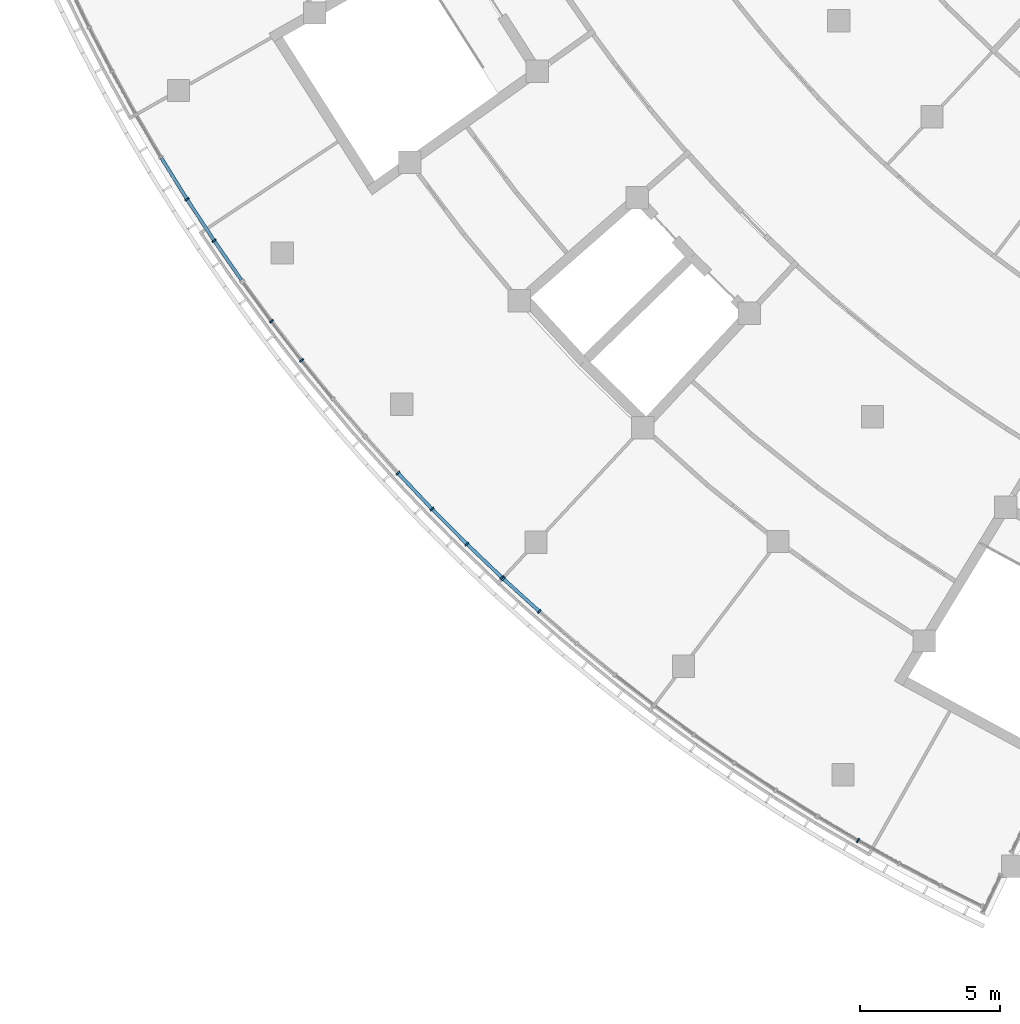
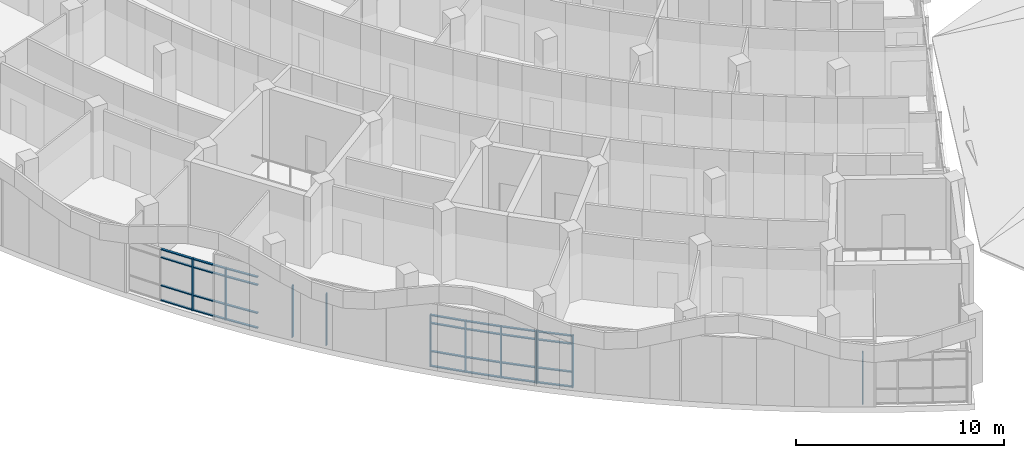
# One storey, part 3 of 137: 39 members, 5 elements without a shape of their own.
"""IFC4 building model written with IfcOpenShell, lengths in metres."""

from ifc_helpers import new_model, si_unit, direction, frame, origin, origin_2d, place, context, subcontext, project, spatial, rectangle, extrude, material, material_profile, profile_set, type_object, element, aggregate, save


model = new_model("IFC4")

# Units and contexts
model_context = context("Model", 3, precision=1e-05, world=origin(), true_north=direction((0.0, 1.0)))
body_context = subcontext(model_context, "Body", "Model", "MODEL_VIEW")
ifc_project = project(units=[si_unit("LENGTHUNIT", "METRE"), si_unit("AREAUNIT", "SQUARE_METRE"), si_unit("VOLUMEUNIT", "CUBIC_METRE"), si_unit("PLANEANGLEUNIT", "RADIAN"), si_unit("MASSUNIT", "GRAM", prefix="KILO")], contexts=[model_context])

# Site, building, storey
site_placement = place(None, origin())
site = spatial("IfcSite", under=ifc_project, at=site_placement, CompositionType="ELEMENT")
building_placement = place(site_placement, origin())
building = spatial("IfcBuilding", under=site, at=building_placement, Name="Bougainvillea Quay General Hospital", CompositionType="ELEMENT")
storey_placement = place(building_placement, frame((0.0, 0.0, 16.800048828125)))
storey = spatial("IfcBuildingStorey", under=building, at=storey_placement, Name="L03", CompositionType="ELEMENT", Elevation=16.800048828125)

# Curtain wall, member
ifc_material_1 = material(Name="Aluminium curtain wall system, powder-coated glazed", Category="aluminium")
curtain_wall_type = type_object("IfcCurtainWallType", Name="Unitised curtain wall CW-2100", PredefinedType="NOTDEFINED", material=ifc_material_1)
curtain_wall_1_placement = place(storey_placement, origin())
curtain_wall_1 = element("IfcCurtainWall", 1, at=curtain_wall_1_placement, inside=storey, type_object=curtain_wall_type, Name="CW-W01 a01b0", PredefinedType="NOTDEFINED")
ifc_material_2 = material(Name="Aluminium mullion, powder-coated charcoal", Category="aluminium")
ifc_material_profile_1 = material_profile(ifc_material_2, rectangle(XDim=0.159912109375, YDim=0.06005859375, at=origin_2d()))
ifc_profile_set_1 = profile_set([ifc_material_profile_1], Name="Aluminium mullion, powder-coated charcoal")
member_type_1 = type_object("IfcMemberType", Name="Curtain wall mullion 160x60", PredefinedType="MULLION", material=ifc_profile_set_1)
member_1_placement = place(storey_placement, frame((74.400390625, 65.55126953125, 0.0), z_axis=(0.0, 0.0, 1.0), x_axis=(-0.498920583541, -0.866647708887, 0.0)))
member_1 = element("IfcMember", 2, at=member_1_placement, type_object=member_type_1, Name="CW-W01 mullion 4", PredefinedType="MULLION", context=body_context, shape_type="SweptSolid", body=[
    extrude(rectangle(XDim=0.159912109375, YDim=0.06005859375, at=origin_2d()), origin(), (0.0, 0.0, 1.0), 3.050048828125),
])
aggregate(curtain_wall_1, [member_1])

# Curtain wall, members
curtain_wall_2_placement = place(storey_placement, origin())
curtain_wall_2 = element("IfcCurtainWall", 3, at=curtain_wall_2_placement, inside=storey, type_object=curtain_wall_type, Name="CW-W03 a01b2", PredefinedType="NOTDEFINED")
member_2_placement = place(storey_placement, frame((62.997802734375, 73.74658203125, 0.0), z_axis=(0.0, 0.0, 1.0), x_axis=(-0.662397799417, -0.749152291145, 0.0)))
member_2 = element("IfcMember", 4, at=member_2_placement, type_object=member_type_1, Name="CW-W03 mullion 4", PredefinedType="MULLION", context=body_context, shape_type="SweptSolid", body=[
    extrude(rectangle(XDim=0.159912109375, YDim=0.06005859375, at=origin_2d()), origin(), (0.0, 0.0, 1.0), 3.050048828125),
])
member_3_placement = place(storey_placement, frame((61.7099609375, 74.914794921875, 0.0), z_axis=(0.0, 0.0, 1.0), x_axis=(-0.671843410143, -0.740693210613, 0.0)))
member_3 = element("IfcMember", 5, at=member_3_placement, type_object=member_type_1, Name="CW-W03 mullion 5", PredefinedType="MULLION", context=body_context, shape_type="SweptSolid", body=[
    extrude(rectangle(XDim=0.159912109375, YDim=0.06005859375, at=origin_2d()), origin(), (0.0, 0.0, 1.0), 3.050048828125),
])

curtain_wall_3_placement = place(storey_placement, origin())
curtain_wall_3 = element("IfcCurtainWall", 6, at=curtain_wall_3_placement, inside=storey, type_object=curtain_wall_type, Name="CW-W04 a01b3", PredefinedType="NOTDEFINED")
member_4_placement = place(storey_placement, frame((61.666015625, 74.955810546875, 0.0), z_axis=(0.0, 0.0, 1.0), x_axis=(-0.690409082244, -0.72341917251, 0.0)))
member_4 = element("IfcMember", 7, at=member_4_placement, type_object=member_type_1, Name="CW-W04 mullion 1", PredefinedType="MULLION", context=body_context, shape_type="SweptSolid", body=[
    extrude(rectangle(XDim=0.159912109375, YDim=0.06005859375, at=origin_2d()), origin(), (0.0, 0.0, 1.0), 3.050048828125),
])
member_5_placement = place(storey_placement, frame((60.407958984375, 76.15625, 0.0), z_axis=(0.0, 0.0, 1.0), x_axis=(-0.699526158712, -0.714606992183, 0.0)))
member_5 = element("IfcMember", 8, at=member_5_placement, type_object=member_type_1, Name="CW-W04 mullion 2", PredefinedType="MULLION", context=body_context, shape_type="SweptSolid", body=[
    extrude(rectangle(XDim=0.159912109375, YDim=0.06005859375, at=origin_2d()), origin(), (0.0, 0.0, 1.0), 3.050048828125),
])
member_6_placement = place(storey_placement, frame((59.159912109375, 77.409423828125, 0.0), z_axis=(0.0, 0.0, 1.0), x_axis=(-0.717421463702, -0.69663939267, 0.0)))
member_6 = element("IfcMember", 9, at=member_6_placement, type_object=member_type_1, Name="CW-W04 mullion 3", PredefinedType="MULLION", context=body_context, shape_type="SweptSolid", body=[
    extrude(rectangle(XDim=0.159912109375, YDim=0.06005859375, at=origin_2d()), origin(), (0.0, 0.0, 1.0), 3.050048828125),
])
member_7_placement = place(storey_placement, frame((57.94384765625, 78.69384765625, 0.0), z_axis=(0.0, 0.0, 1.0), x_axis=(-0.734855411756, -0.678223800683, 0.0)))
member_7 = element("IfcMember", 10, at=member_7_placement, type_object=member_type_1, Name="CW-W04 mullion 4", PredefinedType="MULLION", context=body_context, shape_type="SweptSolid", body=[
    extrude(rectangle(XDim=0.159912109375, YDim=0.06005859375, at=origin_2d()), origin(), (0.0, 0.0, 1.0), 3.050048828125),
])

curtain_wall_4_placement = place(storey_placement, origin())
curtain_wall_4 = element("IfcCurtainWall", 11, at=curtain_wall_4_placement, inside=storey, type_object=curtain_wall_type, Name="CW-W05 a01b4", PredefinedType="NOTDEFINED")
member_8_placement = place(storey_placement, frame((54.49658203125, 82.7265625, 0.0), z_axis=(0.0, 0.0, 1.0), x_axis=(-0.784278527167, -0.620408890833, 0.0)))
member_8 = element("IfcMember", 12, at=member_8_placement, type_object=member_type_1, Name="CW-W05 mullion 3", PredefinedType="MULLION", context=body_context, shape_type="SweptSolid", body=[
    extrude(rectangle(XDim=0.159912109375, YDim=0.06005859375, at=origin_2d()), origin(), (0.0, 0.0, 1.0), 3.050048828125),
])
member_9_placement = place(storey_placement, frame((53.4169921875, 84.12744140625, 0.0), z_axis=(0.0, 0.0, 1.0), x_axis=(-0.799758007688, -0.600322520933, 0.0)))
member_9 = element("IfcMember", 13, at=member_9_placement, type_object=member_type_1, Name="CW-W05 mullion 4", PredefinedType="MULLION", context=body_context, shape_type="SweptSolid", body=[
    extrude(rectangle(XDim=0.159912109375, YDim=0.06005859375, at=origin_2d()), origin(), (0.0, 0.0, 1.0), 3.050048828125),
])
aggregate(curtain_wall_4, [member_8, member_9])

curtain_wall_5_placement = place(storey_placement, origin())
curtain_wall_5 = element("IfcCurtainWall", 14, at=curtain_wall_5_placement, inside=storey, type_object=curtain_wall_type, Name="CW-W06 a01b5", PredefinedType="NOTDEFINED")
member_10_placement = place(storey_placement, frame((51.36572265625, 87.009521484375, 0.0), z_axis=(0.0, 0.0, 1.0), x_axis=(-0.82916442806, -0.55900478642, 0.0)))
member_10 = element("IfcMember", 15, at=member_10_placement, type_object=member_type_1, Name="CW-W06 mullion 2", PredefinedType="MULLION", context=body_context, shape_type="SweptSolid", body=[
    extrude(rectangle(XDim=0.159912109375, YDim=0.06005859375, at=origin_2d()), origin(), (0.0, 0.0, 1.0), 3.050048828125),
])
member_11_placement = place(storey_placement, frame((50.395751953125, 88.488525390625, 0.0), z_axis=(0.0, 0.0, 1.0), x_axis=(-0.843072457331, -0.537799992275, 0.0)))
member_11 = element("IfcMember", 16, at=member_11_placement, type_object=member_type_1, Name="CW-W06 mullion 3", PredefinedType="MULLION", context=body_context, shape_type="SweptSolid", body=[
    extrude(rectangle(XDim=0.159912109375, YDim=0.06005859375, at=origin_2d()), origin(), (0.0, 0.0, 1.0), 3.050048828125),
])

# Member
ifc_material_3 = material(Name="Aluminium transom, powder-coated charcoal", Category="aluminium")
ifc_material_profile_2 = material_profile(ifc_material_3, rectangle(XDim=0.1201171875, YDim=0.06005859375, at=origin_2d()))
ifc_profile_set_2 = profile_set([ifc_material_profile_2], Name="Aluminium transom, powder-coated charcoal")
member_type_2 = type_object("IfcMemberType", Name="Curtain wall transom 120x60", PredefinedType="USERDEFINED", material=ifc_profile_set_2)
member_12_placement = place(storey_placement, frame((62.9755859375, 73.766845703125, 0.030029296875), z_axis=(-0.740663493484, 0.671876171195, 0.0), x_axis=(-0.671876171195, -0.740663493484, 0.0)))
member_12 = element("IfcMember", 17, at=member_12_placement, type_object=member_type_2, Name="CW-W03 transom 4.1", ObjectType="TRANSOM", PredefinedType="USERDEFINED", context=body_context, shape_type="SweptSolid", body=[
    extrude(rectangle(XDim=0.1201171875, YDim=0.06005859375, at=origin_2d()), origin(), (0.0, 0.0, 1.0), 1.6787109375),
])

member_13_placement = place(storey_placement, frame((62.9755859375, 73.766845703125, 0.89990234375), z_axis=(-0.740663493484, 0.671876171195, 0.0), x_axis=(-0.671876171195, -0.740663493484, 0.0)))
member_13 = element("IfcMember", 18, at=member_13_placement, type_object=member_type_2, Name="CW-W03 transom 4.2", ObjectType="TRANSOM", PredefinedType="USERDEFINED", context=body_context, shape_type="SweptSolid", body=[
    extrude(rectangle(XDim=0.1201171875, YDim=0.06005859375, at=origin_2d()), origin(), (0.0, 0.0, 1.0), 1.6787109375),
])

member_14_placement = place(storey_placement, frame((62.9755859375, 73.766845703125, 2.550048828125), z_axis=(-0.740663493484, 0.671876171195, 0.0), x_axis=(-0.671876171195, -0.740663493484, 0.0)))
member_14 = element("IfcMember", 19, at=member_14_placement, type_object=member_type_2, Name="CW-W03 transom 4.3", ObjectType="TRANSOM", PredefinedType="USERDEFINED", context=body_context, shape_type="SweptSolid", body=[
    extrude(rectangle(XDim=0.1201171875, YDim=0.06005859375, at=origin_2d()), origin(), (0.0, 0.0, 1.0), 1.6787109375),
])

member_15_placement = place(storey_placement, frame((62.9755859375, 73.766845703125, 3.02001953125), z_axis=(-0.740663493484, 0.671876171195, 0.0), x_axis=(-0.671876171195, -0.740663493484, 0.0)))
member_15 = element("IfcMember", 20, at=member_15_placement, type_object=member_type_2, Name="CW-W03 transom 4.4", ObjectType="TRANSOM", PredefinedType="USERDEFINED", context=body_context, shape_type="SweptSolid", body=[
    extrude(rectangle(XDim=0.1201171875, YDim=0.06005859375, at=origin_2d()), origin(), (0.0, 0.0, 1.0), 1.6787109375),
])

aggregate(curtain_wall_2, [member_2, member_3, member_12, member_13, member_14, member_15])

member_16_placement = place(storey_placement, frame((61.644287109375, 74.976318359375, 0.030029296875), z_axis=(-0.723418264264, 0.690410033914, 0.0), x_axis=(-0.690410033914, -0.723418264264, 0.0)))
member_16 = element("IfcMember", 21, at=member_16_placement, type_object=member_type_2, Name="CW-W04 transom 1.1", ObjectType="TRANSOM", PredefinedType="USERDEFINED", context=body_context, shape_type="SweptSolid", body=[
    extrude(rectangle(XDim=0.1201171875, YDim=0.06005859375, at=origin_2d()), origin(), (0.0, 0.0, 1.0), 1.678955078125),
])

member_17_placement = place(storey_placement, frame((61.644287109375, 74.976318359375, 0.89990234375), z_axis=(-0.723418264264, 0.690410033914, 0.0), x_axis=(-0.690410033914, -0.723418264264, 0.0)))
member_17 = element("IfcMember", 22, at=member_17_placement, type_object=member_type_2, Name="CW-W04 transom 1.2", ObjectType="TRANSOM", PredefinedType="USERDEFINED", context=body_context, shape_type="SweptSolid", body=[
    extrude(rectangle(XDim=0.1201171875, YDim=0.06005859375, at=origin_2d()), origin(), (0.0, 0.0, 1.0), 1.678955078125),
])

member_18_placement = place(storey_placement, frame((61.644287109375, 74.976318359375, 2.550048828125), z_axis=(-0.723418264264, 0.690410033914, 0.0), x_axis=(-0.690410033914, -0.723418264264, 0.0)))
member_18 = element("IfcMember", 23, at=member_18_placement, type_object=member_type_2, Name="CW-W04 transom 1.3", ObjectType="TRANSOM", PredefinedType="USERDEFINED", context=body_context, shape_type="SweptSolid", body=[
    extrude(rectangle(XDim=0.1201171875, YDim=0.06005859375, at=origin_2d()), origin(), (0.0, 0.0, 1.0), 1.678955078125),
])

member_19_placement = place(storey_placement, frame((61.644287109375, 74.976318359375, 3.02001953125), z_axis=(-0.723418264264, 0.690410033914, 0.0), x_axis=(-0.690410033914, -0.723418264264, 0.0)))
member_19 = element("IfcMember", 24, at=member_19_placement, type_object=member_type_2, Name="CW-W04 transom 1.4", ObjectType="TRANSOM", PredefinedType="USERDEFINED", context=body_context, shape_type="SweptSolid", body=[
    extrude(rectangle(XDim=0.1201171875, YDim=0.06005859375, at=origin_2d()), origin(), (0.0, 0.0, 1.0), 1.678955078125),
])

member_20_placement = place(storey_placement, frame((60.386962890625, 76.177490234375, 0.030029296875), z_axis=(-0.705676553405, 0.708534121955, 0.0), x_axis=(-0.708534121955, -0.705676553405, 0.0)))
member_20 = element("IfcMember", 25, at=member_20_placement, type_object=member_type_2, Name="CW-W04 transom 2.1", ObjectType="TRANSOM", PredefinedType="USERDEFINED", context=body_context, shape_type="SweptSolid", body=[
    extrude(rectangle(XDim=0.1201171875, YDim=0.06005859375, at=origin_2d()), origin(), (0.0, 0.0, 1.0), 1.708740234375),
])

member_21_placement = place(storey_placement, frame((60.386962890625, 76.177490234375, 0.89990234375), z_axis=(-0.705676553405, 0.708534121955, 0.0), x_axis=(-0.708534121955, -0.705676553405, 0.0)))
member_21 = element("IfcMember", 26, at=member_21_placement, type_object=member_type_2, Name="CW-W04 transom 2.2", ObjectType="TRANSOM", PredefinedType="USERDEFINED", context=body_context, shape_type="SweptSolid", body=[
    extrude(rectangle(XDim=0.1201171875, YDim=0.06005859375, at=origin_2d()), origin(), (0.0, 0.0, 1.0), 1.708740234375),
])

member_22_placement = place(storey_placement, frame((60.386962890625, 76.177490234375, 2.550048828125), z_axis=(-0.705676553405, 0.708534121955, 0.0), x_axis=(-0.708534121955, -0.705676553405, 0.0)))
member_22 = element("IfcMember", 27, at=member_22_placement, type_object=member_type_2, Name="CW-W04 transom 2.3", ObjectType="TRANSOM", PredefinedType="USERDEFINED", context=body_context, shape_type="SweptSolid", body=[
    extrude(rectangle(XDim=0.1201171875, YDim=0.06005859375, at=origin_2d()), origin(), (0.0, 0.0, 1.0), 1.708740234375),
])

member_23_placement = place(storey_placement, frame((60.386962890625, 76.177490234375, 3.02001953125), z_axis=(-0.705676553405, 0.708534121955, 0.0), x_axis=(-0.708534121955, -0.705676553405, 0.0)))
member_23 = element("IfcMember", 28, at=member_23_placement, type_object=member_type_2, Name="CW-W04 transom 2.4", ObjectType="TRANSOM", PredefinedType="USERDEFINED", context=body_context, shape_type="SweptSolid", body=[
    extrude(rectangle(XDim=0.1201171875, YDim=0.06005859375, at=origin_2d()), origin(), (0.0, 0.0, 1.0), 1.708740234375),
])

member_24_placement = place(storey_placement, frame((59.13916015625, 77.43115234375, 0.030029296875), z_axis=(-0.687483060128, 0.726200414512, 0.0), x_axis=(-0.726200414512, -0.687483060128, 0.0)))
member_24 = element("IfcMember", 29, at=member_24_placement, type_object=member_type_2, Name="CW-W04 transom 3.1", ObjectType="TRANSOM", PredefinedType="USERDEFINED", context=body_context, shape_type="SweptSolid", body=[
    extrude(rectangle(XDim=0.1201171875, YDim=0.06005859375, at=origin_2d()), origin(), (0.0, 0.0, 1.0), 1.708740234375),
])

member_25_placement = place(storey_placement, frame((59.13916015625, 77.43115234375, 0.89990234375), z_axis=(-0.687483060128, 0.726200414512, 0.0), x_axis=(-0.726200414512, -0.687483060128, 0.0)))
member_25 = element("IfcMember", 30, at=member_25_placement, type_object=member_type_2, Name="CW-W04 transom 3.2", ObjectType="TRANSOM", PredefinedType="USERDEFINED", context=body_context, shape_type="SweptSolid", body=[
    extrude(rectangle(XDim=0.1201171875, YDim=0.06005859375, at=origin_2d()), origin(), (0.0, 0.0, 1.0), 1.708740234375),
])

member_26_placement = place(storey_placement, frame((59.13916015625, 77.43115234375, 2.550048828125), z_axis=(-0.687483060128, 0.726200414512, 0.0), x_axis=(-0.726200414512, -0.687483060128, 0.0)))
member_26 = element("IfcMember", 31, at=member_26_placement, type_object=member_type_2, Name="CW-W04 transom 3.3", ObjectType="TRANSOM", PredefinedType="USERDEFINED", context=body_context, shape_type="SweptSolid", body=[
    extrude(rectangle(XDim=0.1201171875, YDim=0.06005859375, at=origin_2d()), origin(), (0.0, 0.0, 1.0), 1.708740234375),
])

member_27_placement = place(storey_placement, frame((59.13916015625, 77.43115234375, 3.02001953125), z_axis=(-0.687483060128, 0.726200414512, 0.0), x_axis=(-0.726200414512, -0.687483060128, 0.0)))
member_27 = element("IfcMember", 32, at=member_27_placement, type_object=member_type_2, Name="CW-W04 transom 3.4", ObjectType="TRANSOM", PredefinedType="USERDEFINED", context=body_context, shape_type="SweptSolid", body=[
    extrude(rectangle(XDim=0.1201171875, YDim=0.06005859375, at=origin_2d()), origin(), (0.0, 0.0, 1.0), 1.708740234375),
])

aggregate(curtain_wall_3, [member_4, member_5, member_6, member_7, member_16, member_17, member_18, member_19, member_20, member_21, member_22, member_23, member_24, member_25, member_26, member_27])

member_28_placement = place(storey_placement, frame((52.3388671875, 85.604736328125, 0.030029296875), z_axis=(-0.569444364357, 0.82202987531, 0.0), x_axis=(-0.82202987531, -0.569444364357, 0.0)))
member_28 = element("IfcMember", 33, at=member_28_placement, type_object=member_type_2, Name="CW-W06 transom 1.1", ObjectType="TRANSOM", PredefinedType="USERDEFINED", context=body_context, shape_type="SweptSolid", body=[
    extrude(rectangle(XDim=0.1201171875, YDim=0.06005859375, at=origin_2d()), origin(), (0.0, 0.0, 1.0), 1.678955078125),
])

member_29_placement = place(storey_placement, frame((52.3388671875, 85.604736328125, 0.89990234375), z_axis=(-0.569444364357, 0.82202987531, 0.0), x_axis=(-0.82202987531, -0.569444364357, 0.0)))
member_29 = element("IfcMember", 34, at=member_29_placement, type_object=member_type_2, Name="CW-W06 transom 1.2", ObjectType="TRANSOM", PredefinedType="USERDEFINED", context=body_context, shape_type="SweptSolid", body=[
    extrude(rectangle(XDim=0.1201171875, YDim=0.06005859375, at=origin_2d()), origin(), (0.0, 0.0, 1.0), 1.678955078125),
])

member_30_placement = place(storey_placement, frame((52.3388671875, 85.604736328125, 2.550048828125), z_axis=(-0.569444364357, 0.82202987531, 0.0), x_axis=(-0.82202987531, -0.569444364357, 0.0)))
member_30 = element("IfcMember", 35, at=member_30_placement, type_object=member_type_2, Name="CW-W06 transom 1.3", ObjectType="TRANSOM", PredefinedType="USERDEFINED", context=body_context, shape_type="SweptSolid", body=[
    extrude(rectangle(XDim=0.1201171875, YDim=0.06005859375, at=origin_2d()), origin(), (0.0, 0.0, 1.0), 1.678955078125),
])

member_31_placement = place(storey_placement, frame((52.3388671875, 85.604736328125, 3.02001953125), z_axis=(-0.569444364357, 0.82202987531, 0.0), x_axis=(-0.82202987531, -0.569444364357, 0.0)))
member_31 = element("IfcMember", 36, at=member_31_placement, type_object=member_type_2, Name="CW-W06 transom 1.4", ObjectType="TRANSOM", PredefinedType="USERDEFINED", context=body_context, shape_type="SweptSolid", body=[
    extrude(rectangle(XDim=0.1201171875, YDim=0.06005859375, at=origin_2d()), origin(), (0.0, 0.0, 1.0), 1.678955078125),
])

member_32_placement = place(storey_placement, frame((51.349365234375, 87.034423828125, 0.030029296875), z_axis=(-0.548453588198, 0.836180998105, 0.0), x_axis=(-0.836180998105, -0.548453588198, 0.0)))
member_32 = element("IfcMember", 37, at=member_32_placement, type_object=member_type_2, Name="CW-W06 transom 2.1", ObjectType="TRANSOM", PredefinedType="USERDEFINED", context=body_context, shape_type="SweptSolid", body=[
    extrude(rectangle(XDim=0.1201171875, YDim=0.06005859375, at=origin_2d()), origin(), (0.0, 0.0, 1.0), 1.708984375),
])

member_33_placement = place(storey_placement, frame((51.349365234375, 87.034423828125, 0.89990234375), z_axis=(-0.548453588198, 0.836180998105, 0.0), x_axis=(-0.836180998105, -0.548453588198, 0.0)))
member_33 = element("IfcMember", 38, at=member_33_placement, type_object=member_type_2, Name="CW-W06 transom 2.2", ObjectType="TRANSOM", PredefinedType="USERDEFINED", context=body_context, shape_type="SweptSolid", body=[
    extrude(rectangle(XDim=0.1201171875, YDim=0.06005859375, at=origin_2d()), origin(), (0.0, 0.0, 1.0), 1.708984375),
])

member_34_placement = place(storey_placement, frame((51.349365234375, 87.034423828125, 2.550048828125), z_axis=(-0.548453588198, 0.836180998105, 0.0), x_axis=(-0.836180998105, -0.548453588198, 0.0)))
member_34 = element("IfcMember", 39, at=member_34_placement, type_object=member_type_2, Name="CW-W06 transom 2.3", ObjectType="TRANSOM", PredefinedType="USERDEFINED", context=body_context, shape_type="SweptSolid", body=[
    extrude(rectangle(XDim=0.1201171875, YDim=0.06005859375, at=origin_2d()), origin(), (0.0, 0.0, 1.0), 1.708984375),
])

member_35_placement = place(storey_placement, frame((51.349365234375, 87.034423828125, 3.02001953125), z_axis=(-0.548453588198, 0.836180998105, 0.0), x_axis=(-0.836180998105, -0.548453588198, 0.0)))
member_35 = element("IfcMember", 40, at=member_35_placement, type_object=member_type_2, Name="CW-W06 transom 2.4", ObjectType="TRANSOM", PredefinedType="USERDEFINED", context=body_context, shape_type="SweptSolid", body=[
    extrude(rectangle(XDim=0.1201171875, YDim=0.06005859375, at=origin_2d()), origin(), (0.0, 0.0, 1.0), 1.708984375),
])

member_36_placement = place(storey_placement, frame((50.3798828125, 88.513916015625, 0.030029296875), z_axis=(-0.527067635723, 0.84982333892, 0.0), x_axis=(-0.84982333892, -0.527067635723, 0.0)))
member_36 = element("IfcMember", 41, at=member_36_placement, type_object=member_type_2, Name="CW-W06 transom 3.1", ObjectType="TRANSOM", PredefinedType="USERDEFINED", context=body_context, shape_type="SweptSolid", body=[
    extrude(rectangle(XDim=0.1201171875, YDim=0.06005859375, at=origin_2d()), origin(), (0.0, 0.0, 1.0), 1.708740234375),
])

member_37_placement = place(storey_placement, frame((50.3798828125, 88.513916015625, 0.89990234375), z_axis=(-0.527067635723, 0.84982333892, 0.0), x_axis=(-0.84982333892, -0.527067635723, 0.0)))
member_37 = element("IfcMember", 42, at=member_37_placement, type_object=member_type_2, Name="CW-W06 transom 3.2", ObjectType="TRANSOM", PredefinedType="USERDEFINED", context=body_context, shape_type="SweptSolid", body=[
    extrude(rectangle(XDim=0.1201171875, YDim=0.06005859375, at=origin_2d()), origin(), (0.0, 0.0, 1.0), 1.708740234375),
])

member_38_placement = place(storey_placement, frame((50.3798828125, 88.513916015625, 2.550048828125), z_axis=(-0.527067635723, 0.84982333892, 0.0), x_axis=(-0.84982333892, -0.527067635723, 0.0)))
member_38 = element("IfcMember", 43, at=member_38_placement, type_object=member_type_2, Name="CW-W06 transom 3.3", ObjectType="TRANSOM", PredefinedType="USERDEFINED", context=body_context, shape_type="SweptSolid", body=[
    extrude(rectangle(XDim=0.1201171875, YDim=0.06005859375, at=origin_2d()), origin(), (0.0, 0.0, 1.0), 1.708740234375),
])

member_39_placement = place(storey_placement, frame((50.3798828125, 88.513916015625, 3.02001953125), z_axis=(-0.527067635723, 0.84982333892, 0.0), x_axis=(-0.84982333892, -0.527067635723, 0.0)))
member_39 = element("IfcMember", 44, at=member_39_placement, type_object=member_type_2, Name="CW-W06 transom 3.4", ObjectType="TRANSOM", PredefinedType="USERDEFINED", context=body_context, shape_type="SweptSolid", body=[
    extrude(rectangle(XDim=0.1201171875, YDim=0.06005859375, at=origin_2d()), origin(), (0.0, 0.0, 1.0), 1.708740234375),
])

aggregate(curtain_wall_5, [member_10, member_11, member_28, member_29, member_30, member_31, member_32, member_33, member_34, member_35, member_36, member_37, member_38, member_39])

save(model, "model.ifc")
